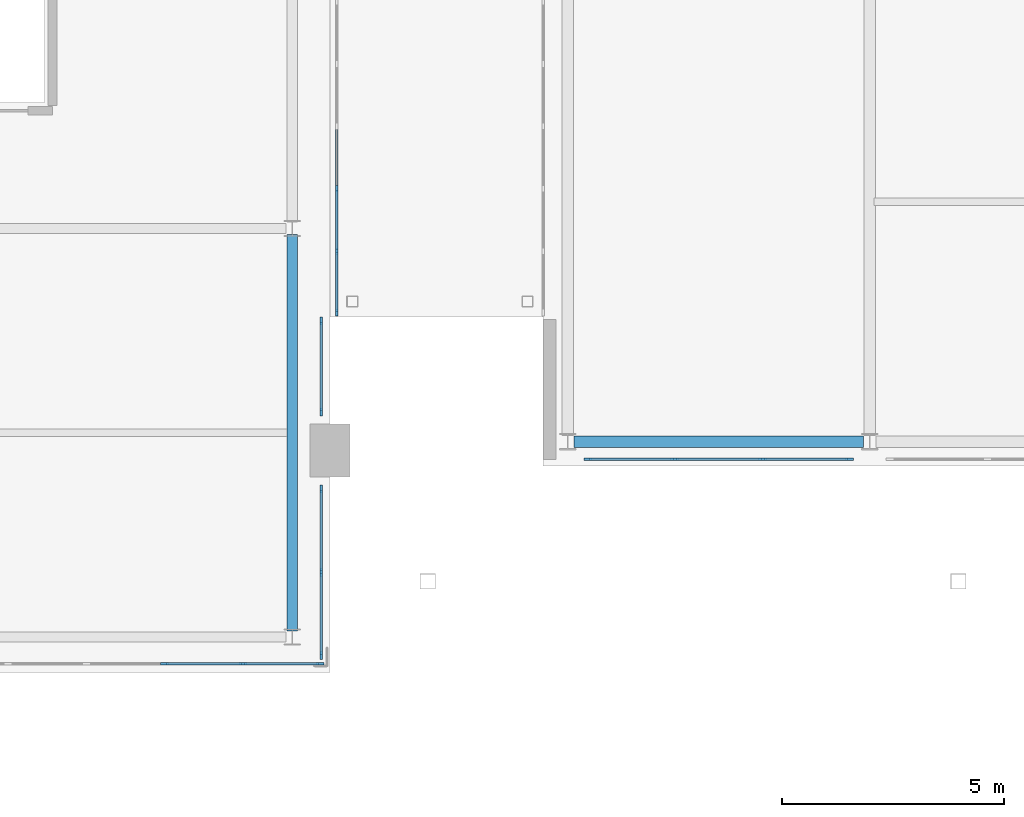
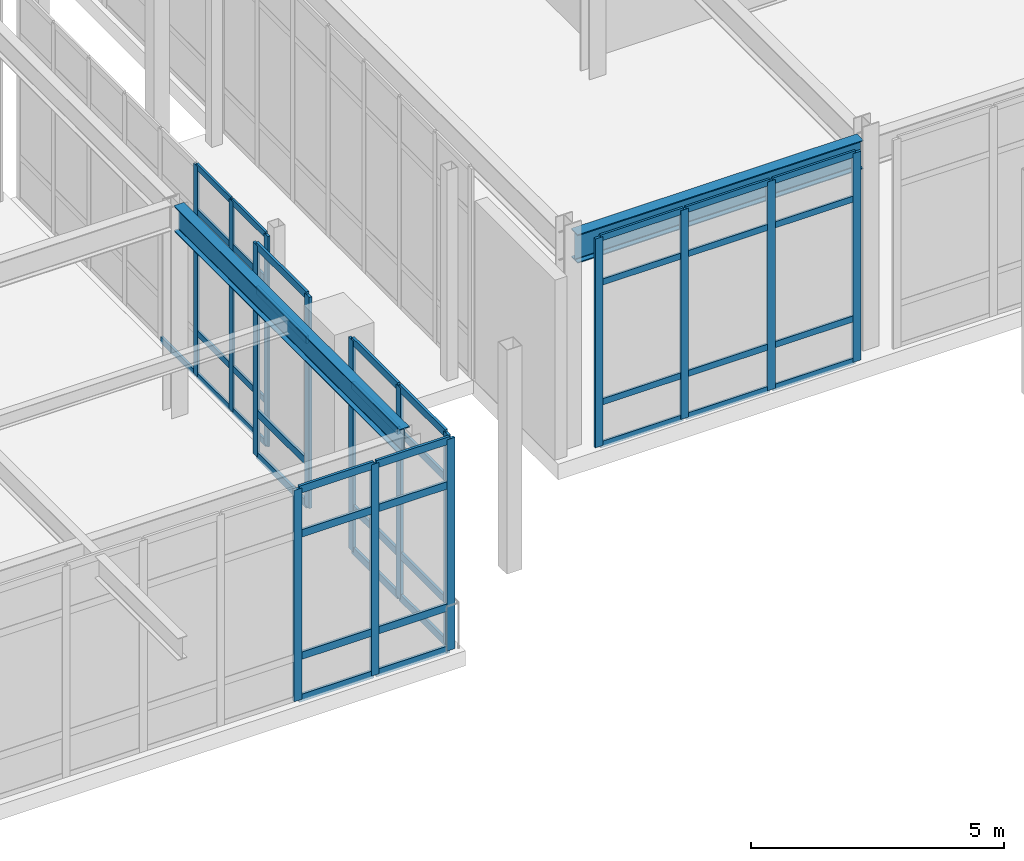
# One storey, part 61 of 159: 56 members, 2 beams, 5 elements without a shape of their own.
"""IFC4 building model written with IfcOpenShell, lengths in metres."""

from ifc_helpers import new_model, si_unit, derived_unit, direction, frame, origin, origin_2d, place, context, subcontext, project, spatial, rectangle, i_section, extrude, material, layer, layer_set, material_profile, profile_set, type_object, element, aggregate, save


model = new_model("IFC4")

# Units and contexts
model_context = context("Model", 3, precision=1e-05, world=origin(), true_north=direction((0.0, 1.0)))
body_context = subcontext(model_context, "Body", "Model", "MODEL_VIEW")
ifc_project = project(units=[si_unit("LENGTHUNIT", "METRE"), si_unit("AREAUNIT", "SQUARE_METRE"), si_unit("VOLUMEUNIT", "CUBIC_METRE"), si_unit("PLANEANGLEUNIT", "RADIAN"), si_unit("MASSUNIT", "GRAM", prefix="KILO"), derived_unit("THERMALTRANSMITTANCEUNIT", [(si_unit("MASSUNIT", "GRAM", prefix="KILO"), 1), (si_unit("TIMEUNIT", "SECOND"), -3), (si_unit("THERMODYNAMICTEMPERATUREUNIT", "KELVIN"), -1)])], contexts=[model_context])

# Site, building, storey
site_placement = place(None, origin())
site = spatial("IfcSite", under=ifc_project, at=site_placement, CompositionType="ELEMENT")
building_placement = place(site_placement, origin())
building = spatial("IfcBuilding", under=site, at=building_placement, Name="Valcora Ridge Arena", CompositionType="ELEMENT")
storey_placement = place(building_placement, frame((0.0, 0.0, 6.0)))
storey = spatial("IfcBuildingStorey", under=building, at=storey_placement, Name="L01", CompositionType="ELEMENT", Elevation=6.0)

# Beams
ifc_material_1 = material(Name="Steel ASTM A572 Grade 50", Category="steel")
ifc_material_profile_1 = material_profile(ifc_material_1, i_section(OverallWidth=0.22900390625, OverallDepth=0.612060546875, WebThickness=0.011962890625, FlangeThickness=0.01953125, FilletRadius=0.01806640625, at=origin_2d()), Name="W24X84")
ifc_profile_set_1 = profile_set([ifc_material_profile_1], Name="Steel ASTM A572 Grade 50")
beam_type_1 = type_object("IfcBeamType", Name="TY-BEAM-G-W24X84-Y", PredefinedType="BEAM", material=ifc_profile_set_1)
beam_1_placement = place(storey_placement, frame((131.0, 0.93994140625, 4.7939453125), z_axis=(0.0, 1.0, 0.0), x_axis=(-1.0, 0.0, 0.0)))
element("IfcBeam", 1, at=beam_1_placement, inside=storey, type_object=beam_type_1, Name="G-W24X84-Y BEM-G-W24X84-Y-0016", PredefinedType="BEAM", context=body_context, shape_type="SweptSolid", body=[
    extrude(i_section(OverallWidth=0.22900390625, OverallDepth=0.612060546875, WebThickness=0.011962890625, FlangeThickness=0.01953125, FilletRadius=0.01806640625, at=origin_2d()), origin(), (0.0, 0.0, 1.0), 8.920166015625),
])
ifc_material_profile_2 = material_profile(ifc_material_1, i_section(OverallWidth=0.256103515625, OverallDepth=0.693115234375, WebThickness=0.014404296875, FlangeThickness=0.023681640625, FilletRadius=0.02001953125, at=origin_2d()), Name="W27X114")
ifc_profile_set_2 = profile_set([ifc_material_profile_2], Name="Steel ASTM A572 Grade 50")
beam_type_2 = type_object("IfcBeamType", Name="TY-BEAM-SP-W27X114", PredefinedType="SPANDREL", material=ifc_profile_set_2)
beam_2_placement = place(storey_placement, frame((137.340087890625, 5.199951171875, 4.693603515625), z_axis=(1.0, 0.0, 0.0), x_axis=(0.0, 1.0, 0.0)))
element("IfcBeam", 2, at=beam_2_placement, inside=storey, type_object=beam_type_2, Name="SP-W27X114 BEM-SP-W27X114-0011", PredefinedType="SPANDREL", context=body_context, shape_type="SweptSolid", body=[
    extrude(i_section(OverallWidth=0.256103515625, OverallDepth=0.693115234375, WebThickness=0.014404296875, FlangeThickness=0.023681640625, FilletRadius=0.02001953125, at=origin_2d()), origin(), (0.0, 0.0, 1.0), 6.52001953125),
])

# Curtain wall, members
ifc_material_2 = material(Name="Anodised dark bronze architectural aluminium 6063-T6", Category="aluminium")
ifc_layer_1 = layer(ifc_material_2, 0.14990234375, Name="Anodised dark bronze architectural aluminium 6063-T6")
ifc_layer_set_1 = layer_set([ifc_layer_1], Name="Anodised dark bronze architectural aluminium 6063-T6")
curtain_wall_type_1 = type_object("IfcCurtainWallType", Name="TY-CURTAINWALL-CW-BRG-098X51", PredefinedType="NOTDEFINED", material=ifc_layer_set_1)
curtain_wall_1_placement = place(storey_placement, origin())
curtain_wall_1 = element("IfcCurtainWall", 3, at=curtain_wall_1_placement, inside=storey, type_object=curtain_wall_type_1, Name="CW-BRG-098X51 CW-0352", PredefinedType="NOTDEFINED")
ifc_material_profile_3 = material_profile(ifc_material_2, rectangle(XDim=0.050048828125, YDim=0.14990234375, at=origin_2d()), Name="ALU MULLION 50x150")
ifc_profile_set_3 = profile_set([ifc_material_profile_3], Name="Anodised dark bronze architectural aluminium 6063-T6")
member_type_1 = type_object("IfcMemberType", Name="TY-MEM-CWM-50x150", PredefinedType="MULLION", material=ifc_profile_set_3)
member_1_placement = place(storey_placement, frame((132.0, 8.10498046875, 0.0), z_axis=(0.0, 0.0, 1.0), x_axis=(-1.0, 0.0, 0.0)))
member_1 = element("IfcMember", 4, at=member_1_placement, type_object=member_type_1, Name="CW-0352/CWM-50x150/M00", PredefinedType="MULLION", context=body_context, shape_type="SweptSolid", body=[
    extrude(rectangle(XDim=0.050048828125, YDim=0.14990234375, at=origin_2d()), origin(), (0.0, 0.0, 1.0), 5.080078125),
])
member_2_placement = place(storey_placement, frame((132.0, 9.485595703125, 0.0), z_axis=(0.0, 0.0, 1.0), x_axis=(-1.0, 0.0, 0.0)))
member_2 = element("IfcMember", 5, at=member_2_placement, type_object=member_type_1, Name="CW-0352/CWM-50x150/M01", PredefinedType="MULLION", context=body_context, shape_type="SweptSolid", body=[
    extrude(rectangle(XDim=0.050048828125, YDim=0.14990234375, at=origin_2d()), origin(), (0.0, 0.0, 1.0), 5.080078125),
])
member_3_placement = place(storey_placement, frame((132.0, 10.891357421875, 0.0), z_axis=(0.0, 0.0, 1.0), x_axis=(-1.0, 0.0, 0.0)))
member_3 = element("IfcMember", 6, at=member_3_placement, type_object=member_type_1, Name="CW-0352/CWM-50x150/M02", PredefinedType="MULLION", context=body_context, shape_type="SweptSolid", body=[
    extrude(rectangle(XDim=0.050048828125, YDim=0.14990234375, at=origin_2d()), origin(), (0.0, 0.0, 1.0), 5.080078125),
])

ifc_layer_2 = layer(ifc_material_2, 0.179931640625, Name="Anodised dark bronze architectural aluminium 6063-T6")
ifc_layer_set_2 = layer_set([ifc_layer_2], Name="Anodised dark bronze architectural aluminium 6063-T6")
curtain_wall_type_2 = type_object("IfcCurtainWallType", Name="TY-CURTAINWALL-CW-V3-LANCET-335X51", PredefinedType="NOTDEFINED", material=ifc_layer_set_2)
curtain_wall_2_placement = place(storey_placement, origin())
curtain_wall_2 = element("IfcCurtainWall", 7, at=curtain_wall_2_placement, inside=storey, type_object=curtain_wall_type_2, Name="CW-V3-LANCET-335X51 CW-0011", PredefinedType="NOTDEFINED")
ifc_material_profile_4 = material_profile(ifc_material_2, rectangle(XDim=0.06005859375, YDim=0.179931640625, at=origin_2d()), Name="ALU MULLION 60x180")
ifc_profile_set_4 = profile_set([ifc_material_profile_4], Name="Anodised dark bronze architectural aluminium 6063-T6")
member_type_2 = type_object("IfcMemberType", Name="TY-MEM-CWM-60x180", PredefinedType="MULLION", material=ifc_profile_set_4)
member_4_placement = place(storey_placement, frame((128.123779296875, 0.199951171875, 0.0), z_axis=(0.0, 0.0, 1.0), x_axis=(0.0, 1.0, 0.0)))
member_4 = element("IfcMember", 8, at=member_4_placement, type_object=member_type_2, Name="CW-0011/CWM-60x180/M17", PredefinedType="MULLION", context=body_context, shape_type="SweptSolid", body=[
    extrude(rectangle(XDim=0.06005859375, YDim=0.179931640625, at=origin_2d()), origin(), (0.0, 0.0, 1.0), 5.10009765625),
])
member_5_placement = place(storey_placement, frame((129.88671875, 0.199951171875, 0.0), z_axis=(0.0, 0.0, 1.0), x_axis=(0.0, 1.0, 0.0)))
member_5 = element("IfcMember", 9, at=member_5_placement, type_object=member_type_2, Name="CW-0011/CWM-60x180/M18", PredefinedType="MULLION", context=body_context, shape_type="SweptSolid", body=[
    extrude(rectangle(XDim=0.06005859375, YDim=0.179931640625, at=origin_2d()), origin(), (0.0, 0.0, 1.0), 5.10009765625),
])
member_6_placement = place(storey_placement, frame((131.6201171875, 0.199951171875, 0.0), z_axis=(0.0, 0.0, 1.0), x_axis=(0.0, 1.0, 0.0)))
member_6 = element("IfcMember", 10, at=member_6_placement, type_object=member_type_2, Name="CW-0011/CWM-60x180/M19", PredefinedType="MULLION", context=body_context, shape_type="SweptSolid", body=[
    extrude(rectangle(XDim=0.06005859375, YDim=0.179931640625, at=origin_2d()), origin(), (0.0, 0.0, 1.0), 5.10009765625),
])

ifc_layer_3 = layer(ifc_material_2, 0.179931640625, Name="Anodised dark bronze architectural aluminium 6063-T6")
ifc_layer_set_3 = layer_set([ifc_layer_3], Name="Anodised dark bronze architectural aluminium 6063-T6")
curtain_wall_type_3 = type_object("IfcCurtainWallType", Name="TY-CURTAINWALL-CW-V3-LANCET-038X51", PredefinedType="NOTDEFINED", material=ifc_layer_set_3)
curtain_wall_3_placement = place(storey_placement, origin())
curtain_wall_3 = element("IfcCurtainWall", 11, at=curtain_wall_3_placement, inside=storey, type_object=curtain_wall_type_3, Name="CW-V3-LANCET-038X51 CW-0012", PredefinedType="NOTDEFINED")
member_7_placement = place(storey_placement, frame((131.64990234375, 0.3798828125, 0.0), z_axis=(0.0, 0.0, 1.0), x_axis=(-1.0, 0.0, 0.0)))
member_7 = element("IfcMember", 12, at=member_7_placement, type_object=member_type_2, Name="CW-0012/CWM-60x180/M00", PredefinedType="MULLION", context=body_context, shape_type="SweptSolid", body=[
    extrude(rectangle(XDim=0.06005859375, YDim=0.179931640625, at=origin_2d()), origin(), (0.0, 0.0, 1.0), 5.10009765625),
])
member_8_placement = place(storey_placement, frame((131.64990234375, 2.2548828125, 0.0), z_axis=(0.0, 0.0, 1.0), x_axis=(-1.0, 0.0, 0.0)))
member_8 = element("IfcMember", 13, at=member_8_placement, type_object=member_type_2, Name="CW-0012/CWM-60x180/M01", PredefinedType="MULLION", context=body_context, shape_type="SweptSolid", body=[
    extrude(rectangle(XDim=0.06005859375, YDim=0.179931640625, at=origin_2d()), origin(), (0.0, 0.0, 1.0), 5.10009765625),
])
member_9_placement = place(storey_placement, frame((131.64990234375, 4.1298828125, 0.0), z_axis=(0.0, 0.0, 1.0), x_axis=(-1.0, 0.0, 0.0)))
member_9 = element("IfcMember", 14, at=member_9_placement, type_object=member_type_2, Name="CW-0012/CWM-60x180/M02", PredefinedType="MULLION", context=body_context, shape_type="SweptSolid", body=[
    extrude(rectangle(XDim=0.06005859375, YDim=0.179931640625, at=origin_2d()), origin(), (0.0, 0.0, 1.0), 5.10009765625),
])

ifc_layer_4 = layer(ifc_material_2, 0.179931640625, Name="Anodised dark bronze architectural aluminium 6063-T6")
ifc_layer_set_4 = layer_set([ifc_layer_4], Name="Anodised dark bronze architectural aluminium 6063-T6")
curtain_wall_type_4 = type_object("IfcCurtainWallType", Name="TY-CURTAINWALL-CW-V3-LANCET-021X51", PredefinedType="NOTDEFINED", material=ifc_layer_set_4)
curtain_wall_4_placement = place(storey_placement, origin())
curtain_wall_4 = element("IfcCurtainWall", 15, at=curtain_wall_4_placement, inside=storey, type_object=curtain_wall_type_4, Name="CW-V3-LANCET-021X51 CW-0013", PredefinedType="NOTDEFINED")
member_10_placement = place(storey_placement, frame((131.64990234375, 5.8701171875, 0.0), z_axis=(0.0, 0.0, 1.0), x_axis=(-1.0, 0.0, 0.0)))
member_10 = element("IfcMember", 16, at=member_10_placement, type_object=member_type_2, Name="CW-0013/CWM-60x180/M00", PredefinedType="MULLION", context=body_context, shape_type="SweptSolid", body=[
    extrude(rectangle(XDim=0.06005859375, YDim=0.179931640625, at=origin_2d()), origin(), (0.0, 0.0, 1.0), 5.10009765625),
])
member_11_placement = place(storey_placement, frame((131.64990234375, 7.919921875, 0.0), z_axis=(0.0, 0.0, 1.0), x_axis=(-1.0, 0.0, 0.0)))
member_11 = element("IfcMember", 17, at=member_11_placement, type_object=member_type_2, Name="CW-0013/CWM-60x180/M01", PredefinedType="MULLION", context=body_context, shape_type="SweptSolid", body=[
    extrude(rectangle(XDim=0.06005859375, YDim=0.179931640625, at=origin_2d()), origin(), (0.0, 0.0, 1.0), 5.10009765625),
])

ifc_layer_5 = layer(ifc_material_2, 0.179931640625, Name="Anodised dark bronze architectural aluminium 6063-T6")
ifc_layer_set_5 = layer_set([ifc_layer_5], Name="Anodised dark bronze architectural aluminium 6063-T6")
curtain_wall_type_5 = type_object("IfcCurtainWallType", Name="TY-CURTAINWALL-CW-V2-GLAZ-059X50", PredefinedType="NOTDEFINED", material=ifc_layer_set_5)
curtain_wall_5_placement = place(storey_placement, origin())
curtain_wall_5 = element("IfcCurtainWall", 18, at=curtain_wall_5_placement, inside=storey, type_object=curtain_wall_type_5, Name="CW-V2-GLAZ-059X50 CW-0044", PredefinedType="NOTDEFINED")
member_12_placement = place(storey_placement, frame((137.656982421875, 4.800048828125, 0.0), z_axis=(0.0, 0.0, 1.0), x_axis=(0.0, 1.0, 0.0)))
member_12 = element("IfcMember", 19, at=member_12_placement, type_object=member_type_2, Name="CW-0044/CWM-60x180/M00", PredefinedType="MULLION", context=body_context, shape_type="SweptSolid", body=[
    extrude(rectangle(XDim=0.06005859375, YDim=0.179931640625, at=origin_2d()), origin(), (0.0, 0.0, 1.0), 5.0400390625),
])
member_13_placement = place(storey_placement, frame((139.60888671875, 4.800048828125, 0.0), z_axis=(0.0, 0.0, 1.0), x_axis=(0.0, 1.0, 0.0)))
member_13 = element("IfcMember", 20, at=member_13_placement, type_object=member_type_2, Name="CW-0044/CWM-60x180/M01", PredefinedType="MULLION", context=body_context, shape_type="SweptSolid", body=[
    extrude(rectangle(XDim=0.06005859375, YDim=0.179931640625, at=origin_2d()), origin(), (0.0, 0.0, 1.0), 5.0400390625),
])
member_14_placement = place(storey_placement, frame((141.591064453125, 4.800048828125, 0.0), z_axis=(0.0, 0.0, 1.0), x_axis=(0.0, 1.0, 0.0)))
member_14 = element("IfcMember", 21, at=member_14_placement, type_object=member_type_2, Name="CW-0044/CWM-60x180/M02", PredefinedType="MULLION", context=body_context, shape_type="SweptSolid", body=[
    extrude(rectangle(XDim=0.06005859375, YDim=0.179931640625, at=origin_2d()), origin(), (0.0, 0.0, 1.0), 5.0400390625),
])
member_15_placement = place(storey_placement, frame((143.54296875, 4.800048828125, 0.0), z_axis=(0.0, 0.0, 1.0), x_axis=(0.0, 1.0, 0.0)))
member_15 = element("IfcMember", 22, at=member_15_placement, type_object=member_type_2, Name="CW-0044/CWM-60x180/M03", PredefinedType="MULLION", context=body_context, shape_type="SweptSolid", body=[
    extrude(rectangle(XDim=0.06005859375, YDim=0.179931640625, at=origin_2d()), origin(), (0.0, 0.0, 1.0), 5.0400390625),
])
ifc_material_profile_5 = material_profile(ifc_material_2, rectangle(XDim=0.050048828125, YDim=0.14990234375, at=origin_2d()), Name="ALU TRANSOM 50x150")
ifc_profile_set_5 = profile_set([ifc_material_profile_5], Name="Anodised dark bronze architectural aluminium 6063-T6")
member_type_3 = type_object("IfcMemberType", Name="TY-MEM-CWT-50x150", PredefinedType="USERDEFINED", material=ifc_profile_set_5)
member_16_placement = place(storey_placement, frame((137.68701171875, 4.800048828125, 0.02490234375), z_axis=(1.0, 0.0, 0.0), x_axis=(0.0, 1.0, 0.0)))
member_16 = element("IfcMember", 23, at=member_16_placement, type_object=member_type_3, Name="CW-0044/CWT-50x150/T00-00", ObjectType="TRANSOM", PredefinedType="USERDEFINED", context=body_context, shape_type="SweptSolid", body=[
    extrude(rectangle(XDim=0.050048828125, YDim=0.14990234375, at=origin_2d()), origin(), (0.0, 0.0, 1.0), 1.89208984375),
])
member_17_placement = place(storey_placement, frame((137.68701171875, 4.800048828125, 1.050048828125), z_axis=(1.0, 0.0, 0.0), x_axis=(0.0, 1.0, 0.0)))
member_17 = element("IfcMember", 24, at=member_17_placement, type_object=member_type_3, Name="CW-0044/CWT-50x150/T00-01", ObjectType="TRANSOM", PredefinedType="USERDEFINED", context=body_context, shape_type="SweptSolid", body=[
    extrude(rectangle(XDim=0.050048828125, YDim=0.14990234375, at=origin_2d()), origin(), (0.0, 0.0, 1.0), 1.89208984375),
])
member_18_placement = place(storey_placement, frame((137.68701171875, 4.800048828125, 3.93994140625), z_axis=(1.0, 0.0, 0.0), x_axis=(0.0, 1.0, 0.0)))
member_18 = element("IfcMember", 25, at=member_18_placement, type_object=member_type_3, Name="CW-0044/CWT-50x150/T00-02", ObjectType="TRANSOM", PredefinedType="USERDEFINED", context=body_context, shape_type="SweptSolid", body=[
    extrude(rectangle(XDim=0.050048828125, YDim=0.14990234375, at=origin_2d()), origin(), (0.0, 0.0, 1.0), 1.89208984375),
])
member_19_placement = place(storey_placement, frame((137.68701171875, 4.800048828125, 5.014892578125), z_axis=(1.0, 0.0, 0.0), x_axis=(0.0, 1.0, 0.0)))
member_19 = element("IfcMember", 26, at=member_19_placement, type_object=member_type_3, Name="CW-0044/CWT-50x150/T00-03", ObjectType="TRANSOM", PredefinedType="USERDEFINED", context=body_context, shape_type="SweptSolid", body=[
    extrude(rectangle(XDim=0.050048828125, YDim=0.14990234375, at=origin_2d()), origin(), (0.0, 0.0, 1.0), 1.89208984375),
])
member_20_placement = place(storey_placement, frame((139.638916015625, 4.800048828125, 0.02490234375), z_axis=(1.0, 0.0, 0.0), x_axis=(0.0, 1.0, 0.0)))
member_20 = element("IfcMember", 27, at=member_20_placement, type_object=member_type_3, Name="CW-0044/CWT-50x150/T01-00", ObjectType="TRANSOM", PredefinedType="USERDEFINED", context=body_context, shape_type="SweptSolid", body=[
    extrude(rectangle(XDim=0.050048828125, YDim=0.14990234375, at=origin_2d()), origin(), (0.0, 0.0, 1.0), 1.922119140625),
])
member_21_placement = place(storey_placement, frame((139.638916015625, 4.800048828125, 1.050048828125), z_axis=(1.0, 0.0, 0.0), x_axis=(0.0, 1.0, 0.0)))
member_21 = element("IfcMember", 28, at=member_21_placement, type_object=member_type_3, Name="CW-0044/CWT-50x150/T01-01", ObjectType="TRANSOM", PredefinedType="USERDEFINED", context=body_context, shape_type="SweptSolid", body=[
    extrude(rectangle(XDim=0.050048828125, YDim=0.14990234375, at=origin_2d()), origin(), (0.0, 0.0, 1.0), 1.922119140625),
])
member_22_placement = place(storey_placement, frame((139.638916015625, 4.800048828125, 3.93994140625), z_axis=(1.0, 0.0, 0.0), x_axis=(0.0, 1.0, 0.0)))
member_22 = element("IfcMember", 29, at=member_22_placement, type_object=member_type_3, Name="CW-0044/CWT-50x150/T01-02", ObjectType="TRANSOM", PredefinedType="USERDEFINED", context=body_context, shape_type="SweptSolid", body=[
    extrude(rectangle(XDim=0.050048828125, YDim=0.14990234375, at=origin_2d()), origin(), (0.0, 0.0, 1.0), 1.922119140625),
])
member_23_placement = place(storey_placement, frame((139.638916015625, 4.800048828125, 5.014892578125), z_axis=(1.0, 0.0, 0.0), x_axis=(0.0, 1.0, 0.0)))
member_23 = element("IfcMember", 30, at=member_23_placement, type_object=member_type_3, Name="CW-0044/CWT-50x150/T01-03", ObjectType="TRANSOM", PredefinedType="USERDEFINED", context=body_context, shape_type="SweptSolid", body=[
    extrude(rectangle(XDim=0.050048828125, YDim=0.14990234375, at=origin_2d()), origin(), (0.0, 0.0, 1.0), 1.922119140625),
])
member_24_placement = place(storey_placement, frame((141.62109375, 4.800048828125, 0.02490234375), z_axis=(1.0, 0.0, 0.0), x_axis=(0.0, 1.0, 0.0)))
member_24 = element("IfcMember", 31, at=member_24_placement, type_object=member_type_3, Name="CW-0044/CWT-50x150/T02-00", ObjectType="TRANSOM", PredefinedType="USERDEFINED", context=body_context, shape_type="SweptSolid", body=[
    extrude(rectangle(XDim=0.050048828125, YDim=0.14990234375, at=origin_2d()), origin(), (0.0, 0.0, 1.0), 1.891845703125),
])
member_25_placement = place(storey_placement, frame((141.62109375, 4.800048828125, 1.050048828125), z_axis=(1.0, 0.0, 0.0), x_axis=(0.0, 1.0, 0.0)))
member_25 = element("IfcMember", 32, at=member_25_placement, type_object=member_type_3, Name="CW-0044/CWT-50x150/T02-01", ObjectType="TRANSOM", PredefinedType="USERDEFINED", context=body_context, shape_type="SweptSolid", body=[
    extrude(rectangle(XDim=0.050048828125, YDim=0.14990234375, at=origin_2d()), origin(), (0.0, 0.0, 1.0), 1.891845703125),
])
member_26_placement = place(storey_placement, frame((141.62109375, 4.800048828125, 3.93994140625), z_axis=(1.0, 0.0, 0.0), x_axis=(0.0, 1.0, 0.0)))
member_26 = element("IfcMember", 33, at=member_26_placement, type_object=member_type_3, Name="CW-0044/CWT-50x150/T02-02", ObjectType="TRANSOM", PredefinedType="USERDEFINED", context=body_context, shape_type="SweptSolid", body=[
    extrude(rectangle(XDim=0.050048828125, YDim=0.14990234375, at=origin_2d()), origin(), (0.0, 0.0, 1.0), 1.891845703125),
])
member_27_placement = place(storey_placement, frame((141.62109375, 4.800048828125, 5.014892578125), z_axis=(1.0, 0.0, 0.0), x_axis=(0.0, 1.0, 0.0)))
member_27 = element("IfcMember", 34, at=member_27_placement, type_object=member_type_3, Name="CW-0044/CWT-50x150/T02-03", ObjectType="TRANSOM", PredefinedType="USERDEFINED", context=body_context, shape_type="SweptSolid", body=[
    extrude(rectangle(XDim=0.050048828125, YDim=0.14990234375, at=origin_2d()), origin(), (0.0, 0.0, 1.0), 1.891845703125),
])
aggregate(curtain_wall_5, [member_12, member_13, member_14, member_15, member_16, member_17, member_18, member_19, member_20, member_21, member_22, member_23, member_24, member_25, member_26, member_27])

# Member
member_28_placement = place(storey_placement, frame((132.0, 8.1298828125, 0.02490234375), z_axis=(0.0, 1.0, 0.0), x_axis=(-1.0, 0.0, 0.0)))
member_28 = element("IfcMember", 35, at=member_28_placement, type_object=member_type_3, Name="CW-0352/CWT-50x150/T00-00", ObjectType="TRANSOM", PredefinedType="USERDEFINED", context=body_context, shape_type="SweptSolid", body=[
    extrude(rectangle(XDim=0.050048828125, YDim=0.14990234375, at=origin_2d()), origin(), (0.0, 0.0, 1.0), 1.3310546875),
])

member_29_placement = place(storey_placement, frame((132.0, 8.1298828125, 1.050048828125), z_axis=(0.0, 1.0, 0.0), x_axis=(-1.0, 0.0, 0.0)))
member_29 = element("IfcMember", 36, at=member_29_placement, type_object=member_type_3, Name="CW-0352/CWT-50x150/T00-01", ObjectType="TRANSOM", PredefinedType="USERDEFINED", context=body_context, shape_type="SweptSolid", body=[
    extrude(rectangle(XDim=0.050048828125, YDim=0.14990234375, at=origin_2d()), origin(), (0.0, 0.0, 1.0), 1.3310546875),
])

member_30_placement = place(storey_placement, frame((132.0, 8.1298828125, 3.97998046875), z_axis=(0.0, 1.0, 0.0), x_axis=(-1.0, 0.0, 0.0)))
member_30 = element("IfcMember", 37, at=member_30_placement, type_object=member_type_3, Name="CW-0352/CWT-50x150/T00-02", ObjectType="TRANSOM", PredefinedType="USERDEFINED", context=body_context, shape_type="SweptSolid", body=[
    extrude(rectangle(XDim=0.050048828125, YDim=0.14990234375, at=origin_2d()), origin(), (0.0, 0.0, 1.0), 1.3310546875),
])

member_31_placement = place(storey_placement, frame((132.0, 8.1298828125, 5.054931640625), z_axis=(0.0, 1.0, 0.0), x_axis=(-1.0, 0.0, 0.0)))
member_31 = element("IfcMember", 38, at=member_31_placement, type_object=member_type_3, Name="CW-0352/CWT-50x150/T00-03", ObjectType="TRANSOM", PredefinedType="USERDEFINED", context=body_context, shape_type="SweptSolid", body=[
    extrude(rectangle(XDim=0.050048828125, YDim=0.14990234375, at=origin_2d()), origin(), (0.0, 0.0, 1.0), 1.3310546875),
])

member_32_placement = place(storey_placement, frame((132.0, 9.510986328125, 0.02490234375), z_axis=(0.0, 1.0, 0.0), x_axis=(-1.0, 0.0, 0.0)))
member_32 = element("IfcMember", 39, at=member_32_placement, type_object=member_type_3, Name="CW-0352/CWT-50x150/T01-00", ObjectType="TRANSOM", PredefinedType="USERDEFINED", context=body_context, shape_type="SweptSolid", body=[
    extrude(rectangle(XDim=0.050048828125, YDim=0.14990234375, at=origin_2d()), origin(), (0.0, 0.0, 1.0), 1.35498046875),
])

member_33_placement = place(storey_placement, frame((132.0, 9.510986328125, 1.050048828125), z_axis=(0.0, 1.0, 0.0), x_axis=(-1.0, 0.0, 0.0)))
member_33 = element("IfcMember", 40, at=member_33_placement, type_object=member_type_3, Name="CW-0352/CWT-50x150/T01-01", ObjectType="TRANSOM", PredefinedType="USERDEFINED", context=body_context, shape_type="SweptSolid", body=[
    extrude(rectangle(XDim=0.050048828125, YDim=0.14990234375, at=origin_2d()), origin(), (0.0, 0.0, 1.0), 1.35498046875),
])

member_34_placement = place(storey_placement, frame((132.0, 9.510986328125, 3.97998046875), z_axis=(0.0, 1.0, 0.0), x_axis=(-1.0, 0.0, 0.0)))
member_34 = element("IfcMember", 41, at=member_34_placement, type_object=member_type_3, Name="CW-0352/CWT-50x150/T01-02", ObjectType="TRANSOM", PredefinedType="USERDEFINED", context=body_context, shape_type="SweptSolid", body=[
    extrude(rectangle(XDim=0.050048828125, YDim=0.14990234375, at=origin_2d()), origin(), (0.0, 0.0, 1.0), 1.35498046875),
])

member_35_placement = place(storey_placement, frame((132.0, 9.510986328125, 5.054931640625), z_axis=(0.0, 1.0, 0.0), x_axis=(-1.0, 0.0, 0.0)))
member_35 = element("IfcMember", 42, at=member_35_placement, type_object=member_type_3, Name="CW-0352/CWT-50x150/T01-03", ObjectType="TRANSOM", PredefinedType="USERDEFINED", context=body_context, shape_type="SweptSolid", body=[
    extrude(rectangle(XDim=0.050048828125, YDim=0.14990234375, at=origin_2d()), origin(), (0.0, 0.0, 1.0), 1.35498046875),
])

member_36_placement = place(storey_placement, frame((132.0, 10.916015625, 0.02490234375), z_axis=(0.0, 1.0, 0.0), x_axis=(-1.0, 0.0, 0.0)))
member_36 = element("IfcMember", 43, at=member_36_placement, type_object=member_type_3, Name="CW-0352/CWT-50x150/T02-00", ObjectType="TRANSOM", PredefinedType="USERDEFINED", context=body_context, shape_type="SweptSolid", body=[
    extrude(rectangle(XDim=0.050048828125, YDim=0.14990234375, at=origin_2d()), origin(), (0.0, 0.0, 1.0), 1.35595703125),
])

aggregate(curtain_wall_1, [member_1, member_2, member_3, member_28, member_29, member_30, member_31, member_32, member_33, member_34, member_35, member_36])

ifc_material_profile_6 = material_profile(ifc_material_2, rectangle(XDim=0.06005859375, YDim=0.179931640625, at=origin_2d()), Name="ALU TRANSOM 60x180")
ifc_profile_set_6 = profile_set([ifc_material_profile_6], Name="Anodised dark bronze architectural aluminium 6063-T6")
member_type_4 = type_object("IfcMemberType", Name="TY-MEM-CWT-60x180", PredefinedType="USERDEFINED", material=ifc_profile_set_6)
member_37_placement = place(storey_placement, frame((128.154052734375, 0.199951171875, 0.030029296875), z_axis=(1.0, 0.0, 0.0), x_axis=(0.0, 1.0, 0.0)))
member_37 = element("IfcMember", 44, at=member_37_placement, type_object=member_type_4, Name="CW-0011/CWT-60x180/T17-00", ObjectType="TRANSOM", PredefinedType="USERDEFINED", context=body_context, shape_type="SweptSolid", body=[
    extrude(rectangle(XDim=0.06005859375, YDim=0.179931640625, at=origin_2d()), origin(), (0.0, 0.0, 1.0), 1.702880859375),
])

member_38_placement = place(storey_placement, frame((128.154052734375, 0.199951171875, 1.050048828125), z_axis=(1.0, 0.0, 0.0), x_axis=(0.0, 1.0, 0.0)))
member_38 = element("IfcMember", 45, at=member_38_placement, type_object=member_type_4, Name="CW-0011/CWT-60x180/T17-01", ObjectType="TRANSOM", PredefinedType="USERDEFINED", context=body_context, shape_type="SweptSolid", body=[
    extrude(rectangle(XDim=0.06005859375, YDim=0.179931640625, at=origin_2d()), origin(), (0.0, 0.0, 1.0), 1.702880859375),
])

member_39_placement = place(storey_placement, frame((128.154052734375, 0.199951171875, 4.0), z_axis=(1.0, 0.0, 0.0), x_axis=(0.0, 1.0, 0.0)))
member_39 = element("IfcMember", 46, at=member_39_placement, type_object=member_type_4, Name="CW-0011/CWT-60x180/T17-02", ObjectType="TRANSOM", PredefinedType="USERDEFINED", context=body_context, shape_type="SweptSolid", body=[
    extrude(rectangle(XDim=0.06005859375, YDim=0.179931640625, at=origin_2d()), origin(), (0.0, 0.0, 1.0), 1.702880859375),
])

member_40_placement = place(storey_placement, frame((128.154052734375, 0.199951171875, 5.070068359375), z_axis=(1.0, 0.0, 0.0), x_axis=(0.0, 1.0, 0.0)))
member_40 = element("IfcMember", 47, at=member_40_placement, type_object=member_type_4, Name="CW-0011/CWT-60x180/T17-03", ObjectType="TRANSOM", PredefinedType="USERDEFINED", context=body_context, shape_type="SweptSolid", body=[
    extrude(rectangle(XDim=0.06005859375, YDim=0.179931640625, at=origin_2d()), origin(), (0.0, 0.0, 1.0), 1.702880859375),
])

member_41_placement = place(storey_placement, frame((129.9169921875, 0.199951171875, 0.030029296875), z_axis=(1.0, 0.0, 0.0), x_axis=(0.0, 1.0, 0.0)))
member_41 = element("IfcMember", 48, at=member_41_placement, type_object=member_type_4, Name="CW-0011/CWT-60x180/T18-00", ObjectType="TRANSOM", PredefinedType="USERDEFINED", context=body_context, shape_type="SweptSolid", body=[
    extrude(rectangle(XDim=0.06005859375, YDim=0.179931640625, at=origin_2d()), origin(), (0.0, 0.0, 1.0), 1.673095703125),
])

member_42_placement = place(storey_placement, frame((129.9169921875, 0.199951171875, 1.050048828125), z_axis=(1.0, 0.0, 0.0), x_axis=(0.0, 1.0, 0.0)))
member_42 = element("IfcMember", 49, at=member_42_placement, type_object=member_type_4, Name="CW-0011/CWT-60x180/T18-01", ObjectType="TRANSOM", PredefinedType="USERDEFINED", context=body_context, shape_type="SweptSolid", body=[
    extrude(rectangle(XDim=0.06005859375, YDim=0.179931640625, at=origin_2d()), origin(), (0.0, 0.0, 1.0), 1.673095703125),
])

member_43_placement = place(storey_placement, frame((129.9169921875, 0.199951171875, 4.0), z_axis=(1.0, 0.0, 0.0), x_axis=(0.0, 1.0, 0.0)))
member_43 = element("IfcMember", 50, at=member_43_placement, type_object=member_type_4, Name="CW-0011/CWT-60x180/T18-02", ObjectType="TRANSOM", PredefinedType="USERDEFINED", context=body_context, shape_type="SweptSolid", body=[
    extrude(rectangle(XDim=0.06005859375, YDim=0.179931640625, at=origin_2d()), origin(), (0.0, 0.0, 1.0), 1.673095703125),
])

member_44_placement = place(storey_placement, frame((129.9169921875, 0.199951171875, 5.070068359375), z_axis=(1.0, 0.0, 0.0), x_axis=(0.0, 1.0, 0.0)))
member_44 = element("IfcMember", 51, at=member_44_placement, type_object=member_type_4, Name="CW-0011/CWT-60x180/T18-03", ObjectType="TRANSOM", PredefinedType="USERDEFINED", context=body_context, shape_type="SweptSolid", body=[
    extrude(rectangle(XDim=0.06005859375, YDim=0.179931640625, at=origin_2d()), origin(), (0.0, 0.0, 1.0), 1.673095703125),
])

aggregate(curtain_wall_2, [member_4, member_5, member_6, member_37, member_38, member_39, member_40, member_41, member_42, member_43, member_44])

member_45_placement = place(storey_placement, frame((131.64990234375, 0.409912109375, 0.030029296875), z_axis=(0.0, 1.0, 0.0), x_axis=(-1.0, 0.0, 0.0)))
member_45 = element("IfcMember", 52, at=member_45_placement, type_object=member_type_4, Name="CW-0012/CWT-60x180/T00-00", ObjectType="TRANSOM", PredefinedType="USERDEFINED", context=body_context, shape_type="SweptSolid", body=[
    extrude(rectangle(XDim=0.06005859375, YDim=0.179931640625, at=origin_2d()), origin(), (0.0, 0.0, 1.0), 1.815185546875),
])

member_46_placement = place(storey_placement, frame((131.64990234375, 0.409912109375, 1.050048828125), z_axis=(0.0, 1.0, 0.0), x_axis=(-1.0, 0.0, 0.0)))
member_46 = element("IfcMember", 53, at=member_46_placement, type_object=member_type_4, Name="CW-0012/CWT-60x180/T00-01", ObjectType="TRANSOM", PredefinedType="USERDEFINED", context=body_context, shape_type="SweptSolid", body=[
    extrude(rectangle(XDim=0.06005859375, YDim=0.179931640625, at=origin_2d()), origin(), (0.0, 0.0, 1.0), 1.815185546875),
])

member_47_placement = place(storey_placement, frame((131.64990234375, 0.409912109375, 4.0), z_axis=(0.0, 1.0, 0.0), x_axis=(-1.0, 0.0, 0.0)))
member_47 = element("IfcMember", 54, at=member_47_placement, type_object=member_type_4, Name="CW-0012/CWT-60x180/T00-02", ObjectType="TRANSOM", PredefinedType="USERDEFINED", context=body_context, shape_type="SweptSolid", body=[
    extrude(rectangle(XDim=0.06005859375, YDim=0.179931640625, at=origin_2d()), origin(), (0.0, 0.0, 1.0), 1.815185546875),
])

member_48_placement = place(storey_placement, frame((131.64990234375, 0.409912109375, 5.070068359375), z_axis=(0.0, 1.0, 0.0), x_axis=(-1.0, 0.0, 0.0)))
member_48 = element("IfcMember", 55, at=member_48_placement, type_object=member_type_4, Name="CW-0012/CWT-60x180/T00-03", ObjectType="TRANSOM", PredefinedType="USERDEFINED", context=body_context, shape_type="SweptSolid", body=[
    extrude(rectangle(XDim=0.06005859375, YDim=0.179931640625, at=origin_2d()), origin(), (0.0, 0.0, 1.0), 1.815185546875),
])

member_49_placement = place(storey_placement, frame((131.64990234375, 2.284912109375, 0.030029296875), z_axis=(0.0, 1.0, 0.0), x_axis=(-1.0, 0.0, 0.0)))
member_49 = element("IfcMember", 56, at=member_49_placement, type_object=member_type_4, Name="CW-0012/CWT-60x180/T01-00", ObjectType="TRANSOM", PredefinedType="USERDEFINED", context=body_context, shape_type="SweptSolid", body=[
    extrude(rectangle(XDim=0.06005859375, YDim=0.179931640625, at=origin_2d()), origin(), (0.0, 0.0, 1.0), 1.815185546875),
])

member_50_placement = place(storey_placement, frame((131.64990234375, 2.284912109375, 1.050048828125), z_axis=(0.0, 1.0, 0.0), x_axis=(-1.0, 0.0, 0.0)))
member_50 = element("IfcMember", 57, at=member_50_placement, type_object=member_type_4, Name="CW-0012/CWT-60x180/T01-01", ObjectType="TRANSOM", PredefinedType="USERDEFINED", context=body_context, shape_type="SweptSolid", body=[
    extrude(rectangle(XDim=0.06005859375, YDim=0.179931640625, at=origin_2d()), origin(), (0.0, 0.0, 1.0), 1.815185546875),
])

member_51_placement = place(storey_placement, frame((131.64990234375, 2.284912109375, 4.0), z_axis=(0.0, 1.0, 0.0), x_axis=(-1.0, 0.0, 0.0)))
member_51 = element("IfcMember", 58, at=member_51_placement, type_object=member_type_4, Name="CW-0012/CWT-60x180/T01-02", ObjectType="TRANSOM", PredefinedType="USERDEFINED", context=body_context, shape_type="SweptSolid", body=[
    extrude(rectangle(XDim=0.06005859375, YDim=0.179931640625, at=origin_2d()), origin(), (0.0, 0.0, 1.0), 1.815185546875),
])

member_52_placement = place(storey_placement, frame((131.64990234375, 2.284912109375, 5.070068359375), z_axis=(0.0, 1.0, 0.0), x_axis=(-1.0, 0.0, 0.0)))
member_52 = element("IfcMember", 59, at=member_52_placement, type_object=member_type_4, Name="CW-0012/CWT-60x180/T01-03", ObjectType="TRANSOM", PredefinedType="USERDEFINED", context=body_context, shape_type="SweptSolid", body=[
    extrude(rectangle(XDim=0.06005859375, YDim=0.179931640625, at=origin_2d()), origin(), (0.0, 0.0, 1.0), 1.815185546875),
])

aggregate(curtain_wall_3, [member_7, member_8, member_9, member_45, member_46, member_47, member_48, member_49, member_50, member_51, member_52])

member_53_placement = place(storey_placement, frame((131.64990234375, 5.89990234375, 0.030029296875), z_axis=(0.0, 1.0, 0.0), x_axis=(-1.0, 0.0, 0.0)))
member_53 = element("IfcMember", 60, at=member_53_placement, type_object=member_type_4, Name="CW-0013/CWT-60x180/T00-00", ObjectType="TRANSOM", PredefinedType="USERDEFINED", context=body_context, shape_type="SweptSolid", body=[
    extrude(rectangle(XDim=0.06005859375, YDim=0.179931640625, at=origin_2d()), origin(), (0.0, 0.0, 1.0), 1.989990234375),
])

member_54_placement = place(storey_placement, frame((131.64990234375, 5.89990234375, 1.050048828125), z_axis=(0.0, 1.0, 0.0), x_axis=(-1.0, 0.0, 0.0)))
member_54 = element("IfcMember", 61, at=member_54_placement, type_object=member_type_4, Name="CW-0013/CWT-60x180/T00-01", ObjectType="TRANSOM", PredefinedType="USERDEFINED", context=body_context, shape_type="SweptSolid", body=[
    extrude(rectangle(XDim=0.06005859375, YDim=0.179931640625, at=origin_2d()), origin(), (0.0, 0.0, 1.0), 1.989990234375),
])

member_55_placement = place(storey_placement, frame((131.64990234375, 5.89990234375, 4.0), z_axis=(0.0, 1.0, 0.0), x_axis=(-1.0, 0.0, 0.0)))
member_55 = element("IfcMember", 62, at=member_55_placement, type_object=member_type_4, Name="CW-0013/CWT-60x180/T00-02", ObjectType="TRANSOM", PredefinedType="USERDEFINED", context=body_context, shape_type="SweptSolid", body=[
    extrude(rectangle(XDim=0.06005859375, YDim=0.179931640625, at=origin_2d()), origin(), (0.0, 0.0, 1.0), 1.989990234375),
])

member_56_placement = place(storey_placement, frame((131.64990234375, 5.89990234375, 5.070068359375), z_axis=(0.0, 1.0, 0.0), x_axis=(-1.0, 0.0, 0.0)))
member_56 = element("IfcMember", 63, at=member_56_placement, type_object=member_type_4, Name="CW-0013/CWT-60x180/T00-03", ObjectType="TRANSOM", PredefinedType="USERDEFINED", context=body_context, shape_type="SweptSolid", body=[
    extrude(rectangle(XDim=0.06005859375, YDim=0.179931640625, at=origin_2d()), origin(), (0.0, 0.0, 1.0), 1.989990234375),
])

aggregate(curtain_wall_4, [member_10, member_11, member_53, member_54, member_55, member_56])

save(model, "model.ifc")
